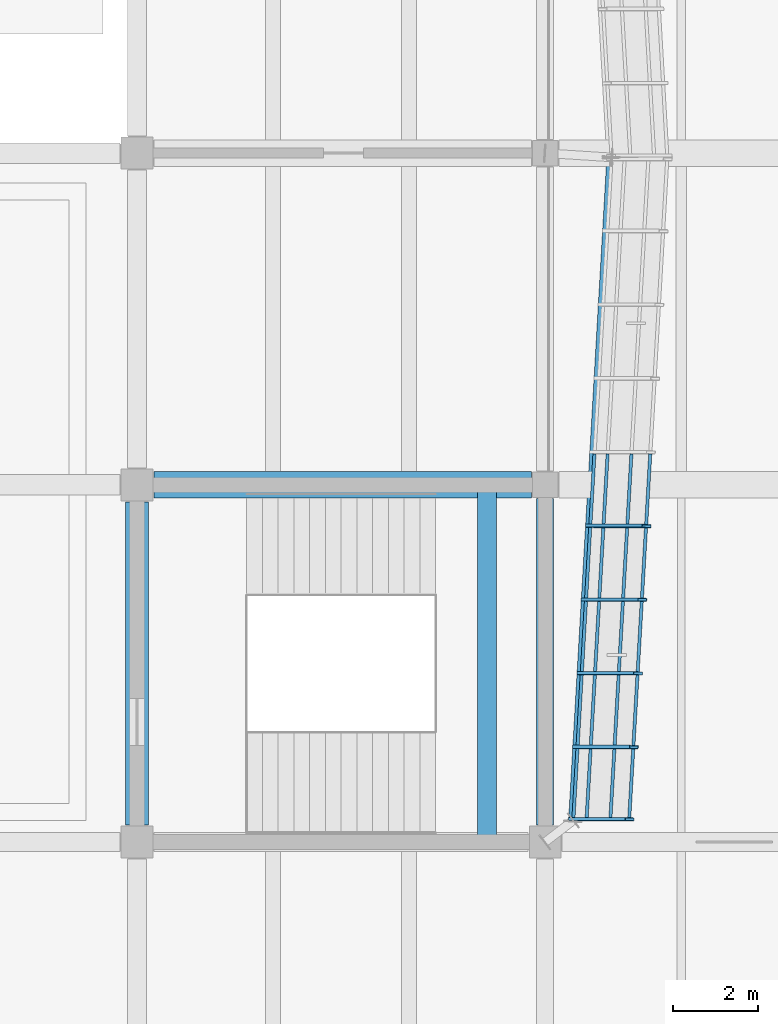
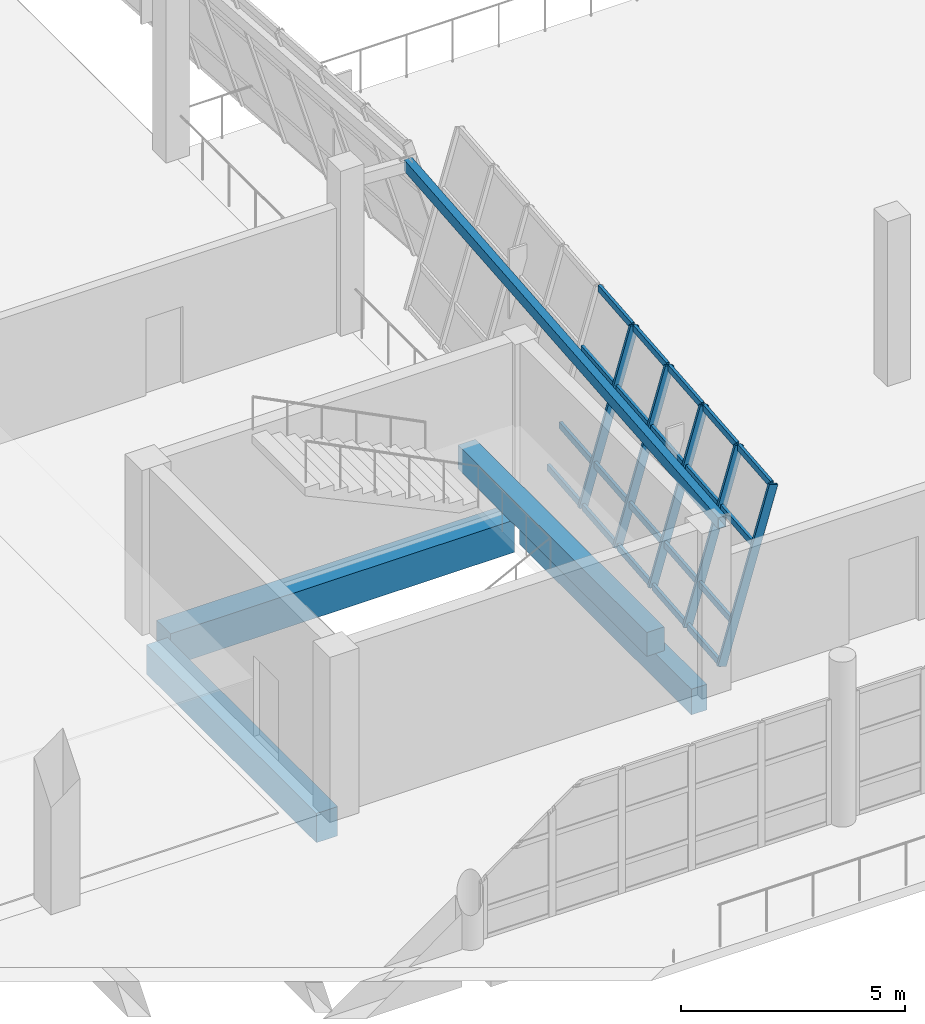
# One storey, part 16 of 71: 25 members, 5 beams, 1 element without a shape of its own.
"""IFC4 building model written with IfcOpenShell, lengths in metres."""

import ifcopenshell
import ifcopenshell.guid

model = None  # the IFC model being written
_history = None  # IfcOwnerHistory: only IFC2X3 demands one
_inside = {}  # id of a spatial element -> (the spatial element, [elements in it])
_under = {}  # id of a project, library or spatial element -> (it, [spatial elements below it])
_declared = {}  # id of a project -> (the project, [libraries it declares])
_typed = {}  # id of a type object -> (the type object, [elements of that type])
_made_of = {}  # id of a material, layer set ... -> (it, [elements and type objects made of it])


def new_model(schema):
    """Start an empty IFC model of exactly this schema.

    Asked for "IFC4X3", IfcOpenShell would pick the latest addendum, in which some entities
    have other attributes; the version numbers below select the first issue.
    IFC2X3 requires an IfcOwnerHistory on every rooted entity: one is made here for all.
    """
    global model, _history
    if schema == "IFC4X3":
        model = ifcopenshell.file(schema_version=(4, 3, 0, 0))
    else:
        model = ifcopenshell.file(schema=schema)
    _inside.clear()
    _under.clear()
    _declared.clear()
    _typed.clear()
    _made_of.clear()
    _history = None
    if model.schema == "IFC2X3":
        org = make("IfcOrganization", Name="unknown")
        user = make(
            "IfcPersonAndOrganization",
            ThePerson=make("IfcPerson", FamilyName="unknown"),
            TheOrganization=org,
        )
        app = make(
            "IfcApplication",
            ApplicationDeveloper=org,
            Version="unknown",
            ApplicationFullName="unknown",
            ApplicationIdentifier="unknown",
        )
        _history = make(
            "IfcOwnerHistory",
            OwningUser=user,
            OwningApplication=app,
            ChangeAction="ADDED",
            CreationDate=0,
        )
    return model


def make(cls, **values):
    """One entity of the class cls with the attributes given. An attribute that is None is left unset."""
    return model.create_entity(
        cls, **{name: value for name, value in values.items() if value is not None}
    )


def rooted(cls, **values):
    """An entity with a GlobalId (a new one), such as an element, a storey or a relation."""
    return make(cls, GlobalId=ifcopenshell.guid.new(), OwnerHistory=_history, **values)


def si_unit(unit_type, name, prefix=None):
    """IfcSIUnit, for example si_unit("LENGTHUNIT", "METRE", prefix="MILLI")."""
    return make("IfcSIUnit", UnitType=unit_type, Prefix=prefix, Name=name)


def assignment(units):
    """IfcUnitAssignment: the units of a project."""
    return None if units is None else make("IfcUnitAssignment", Units=units)


def point(xyz):
    """IfcCartesianPoint."""
    return None if xyz is None else make("IfcCartesianPoint", Coordinates=xyz)


def direction(xyz):
    """IfcDirection."""
    return None if xyz is None else make("IfcDirection", DirectionRatios=xyz)


def frame(location, z_axis=None, x_axis=None):
    """IfcAxis2Placement3D, a coordinate frame: its origin and axes. An axis left out is left unset."""
    return make(
        "IfcAxis2Placement3D",
        Location=point(location),
        Axis=direction(z_axis),
        RefDirection=direction(x_axis),
    )


def frame_2d(location, x_axis=None):
    """IfcAxis2Placement2D, a coordinate frame in the plane: its origin and x axis."""
    return make(
        "IfcAxis2Placement2D", Location=point(location), RefDirection=direction(x_axis)
    )


def origin():
    """The frame at (0, 0, 0) with its axes left unset."""
    return frame((0.0, 0.0, 0.0))


def origin_2d():
    """The frame at (0, 0) in the plane with its x axis left unset."""
    return frame_2d((0.0, 0.0))


def place(relative_to, where):
    """IfcLocalPlacement: puts the frame where relative to a parent placement (None: the world)."""
    return make(
        "IfcLocalPlacement", PlacementRelTo=relative_to, RelativePlacement=where
    )


def context(
    kind, dimensions, precision=None, world=None, true_north=None, identifier=None
):
    """IfcGeometricRepresentationContext, for example the 3D "Model" context."""
    return make(
        "IfcGeometricRepresentationContext",
        ContextIdentifier=identifier,
        ContextType=kind,
        CoordinateSpaceDimension=dimensions,
        Precision=precision,
        WorldCoordinateSystem=world,
        TrueNorth=true_north,
    )


def subcontext(parent, identifier, kind, view, scale=None):
    """IfcGeometricRepresentationSubContext, for example "Body" below "Model"."""
    return make(
        "IfcGeometricRepresentationSubContext",
        ContextIdentifier=identifier,
        ContextType=kind,
        ParentContext=parent,
        TargetScale=scale,
        TargetView=view,
    )


def project(units=None, contexts=None):
    """IfcProject with its units and contexts."""
    return rooted(
        "IfcProject",
        Name="project",
        RepresentationContexts=contexts,
        UnitsInContext=assignment(units),
    )


def spatial(cls, under=None, at=None, **own):
    """A site, building, storey or space (cls), placed at a placement, below another one or the project."""
    s = rooted(cls, ObjectPlacement=at, **own)
    if under is not None:
        _under.setdefault(under.id(), (under, []))[1].append(s)
    return s


def profile(cls, at=None, kind="AREA", **sizes):
    """A parametric profile (cls). Its sizes go by their IFC names, for example OverallWidth=200.0."""
    return make(cls, ProfileType=kind, Position=at, **sizes)


def rectangle(**sizes):
    """IfcRectangleProfileDef."""
    return profile("IfcRectangleProfileDef", **sizes)


def hollow_rectangle(**sizes):
    """IfcRectangleHollowProfileDef."""
    return profile("IfcRectangleHollowProfileDef", **sizes)


def extrude(swept, where, along, depth):
    """IfcExtrudedAreaSolid: the profile swept, set in the frame where, extruded along a direction by depth."""
    return make(
        "IfcExtrudedAreaSolid",
        SweptArea=swept,
        Position=where,
        ExtrudedDirection=direction(along),
        Depth=depth,
    )


def shape(context_of_items, identifier, shape_type, items):
    """IfcShapeRepresentation: the items that make up one representation, for example the "Body"."""
    return make(
        "IfcShapeRepresentation",
        ContextOfItems=context_of_items,
        RepresentationIdentifier=identifier,
        RepresentationType=shape_type,
        Items=items,
    )


def material(Name=None, Category=None):
    """IfcMaterial."""
    return make("IfcMaterial", Name=Name, Category=Category)


def material_profile(
    of_material, cross_section, Name=None, Category=None, Priority=None
):
    """IfcMaterialProfile: a cross section and its material."""
    return make(
        "IfcMaterialProfile",
        Name=Name,
        Material=of_material,
        Profile=cross_section,
        Priority=Priority,
        Category=Category,
    )


def profile_set(profiles, Name=None, composite=None):
    """IfcMaterialProfileSet."""
    return make(
        "IfcMaterialProfileSet",
        Name=Name,
        MaterialProfiles=profiles,
        CompositeProfile=composite,
    )


def made_of(thing, what):
    """Note that an element or type object is made of a material, layer set ...; save() writes the relation."""
    if what is not None:
        _made_of.setdefault(what.id(), (what, []))[1].append(thing)
    return thing


def type_object(cls, material=None, **own):
    """A type object (cls), such as IfcWallType, which elements share."""
    return made_of(rooted(cls, **own), material)


def element(
    cls,
    number,
    at=None,
    inside=None,
    cuts=None,
    type_object=None,
    material=None,
    context=None,
    identifier="Body",
    shape_type=None,
    held_by="IfcProductDefinitionShape",
    body=None,
    shapes=None,
    **own,
):
    """One element of the class cls, such as IfcWall. Its Tag is "e" and its number.

    at: its placement. inside: the storey or other place that contains it. cuts: it is an
    opening in that element (IfcRelVoidsElement). A single representation is given by context,
    identifier, shape_type and body (its items); several are given by shapes. held_by: the class
    of the entity that holds the representations. save() writes the other relations.
    """
    e = rooted(cls, Tag="e%d" % number, ObjectPlacement=at, **own)
    if body is not None:
        shapes = [shape(context, identifier, shape_type, body)]
    if shapes is not None:
        e.Representation = make(held_by, Representations=shapes)
    if inside is not None:
        _inside.setdefault(inside.id(), (inside, []))[1].append(e)
    if cuts is not None:
        rooted(
            "IfcRelVoidsElement", RelatingBuildingElement=cuts, RelatedOpeningElement=e
        )
    if type_object is not None:
        _typed.setdefault(type_object.id(), (type_object, []))[1].append(e)
    return made_of(e, material)


def aggregate(whole, parts):
    """IfcRelAggregates: a whole, such as a stair, and the parts it consists of."""
    return rooted("IfcRelAggregates", RelatingObject=whole, RelatedObjects=parts)


def save(model, path):
    """Write the relations noted so far, then the file.

    IfcRelAggregates (storeys below a building ...), IfcRelContainedInSpatialStructure (elements
    in a storey), IfcRelDefinesByType, IfcRelAssociatesMaterial and IfcRelDeclares: one each for
    every whole, place, type object, material and project.
    """
    for whole, parts in _under.values():
        aggregate(whole, parts)
    for where, things in _inside.values():
        rooted(
            "IfcRelContainedInSpatialStructure",
            RelatedElements=things,
            RelatingStructure=where,
        )
    for kind, things in _typed.values():
        rooted("IfcRelDefinesByType", RelatedObjects=things, RelatingType=kind)
    for what, things in _made_of.values():
        rooted("IfcRelAssociatesMaterial", RelatedObjects=things, RelatingMaterial=what)
    for by, libraries in _declared.values():
        rooted("IfcRelDeclares", RelatingContext=by, RelatedDefinitions=libraries)
    model.write(path)


model = new_model("IFC4")

# Units and contexts
model_context = context("Model", 3, precision=1e-05, world=origin(), true_north=direction((0.0, 1.0)))
body_context = subcontext(model_context, "Body", "Model", "MODEL_VIEW")
ifc_project = project(units=[si_unit("LENGTHUNIT", "METRE"), si_unit("AREAUNIT", "SQUARE_METRE"), si_unit("VOLUMEUNIT", "CUBIC_METRE"), si_unit("PLANEANGLEUNIT", "RADIAN"), si_unit("MASSUNIT", "GRAM", prefix="KILO")], contexts=[model_context])

# Site, building, storey
site_placement = place(None, origin())
site = spatial("IfcSite", under=ifc_project, at=site_placement, CompositionType="ELEMENT")
building_placement = place(site_placement, origin())
building = spatial("IfcBuilding", under=site, at=building_placement, Name="Pellamere Symphony Hall", CompositionType="ELEMENT")
storey_placement = place(building_placement, frame((0.0, 0.0, 15.0)))
storey = spatial("IfcBuildingStorey", under=building, at=storey_placement, Name="L03", CompositionType="ELEMENT", Elevation=15.0)

# Curtain wall, members
ifc_material_1 = material(Name="Thermally Broken Anodised Aluminium 6063-T6 Curtain Wall", Category="aluminium")
curtain_wall_type = type_object("IfcCurtainWallType", Name="Curtain Wall CW-01 (Tilted Faceted Crystal Low-Iron Curtain Wall)", PredefinedType="NOTDEFINED", material=ifc_material_1)
curtain_wall_placement = place(storey_placement, origin())
curtain_wall = element("IfcCurtainWall", 1, at=curtain_wall_placement, inside=storey, type_object=curtain_wall_type, Name="Crystal Faceted Curtain Wall CW-CR06 (L03)", PredefinedType="NOTDEFINED")
ifc_material_2 = material(Name="Anodised Architectural Aluminium 6063-T6", Category="aluminium")
ifc_material_profile_1 = material_profile(ifc_material_2, hollow_rectangle(XDim=0.074951171875, YDim=0.219970703125, WallThickness=0.0048828125, at=origin_2d()), Name="ALU-M75X220X5")
ifc_profile_set_1 = profile_set([ifc_material_profile_1], Name="Anodised Architectural Aluminium 6063-T6")
member_type_1 = type_object("IfcMemberType", Name="Curtain Wall Mullion ML-01 ALU-M75X220X5", PredefinedType="MULLION", material=ifc_profile_set_1)
member_1_placement = place(storey_placement, frame((119.4521484375, 30.537353515625, 0.0), z_axis=(0.284024567884, 0.0, 0.95881700279), x_axis=(-0.055224537145, -0.998339941676, 0.01635883099)))
member_1 = element("IfcMember", 2, at=member_1_placement, type_object=member_type_1, Name="CW1-007 crystal mullion 1", PredefinedType="MULLION", context=body_context, shape_type="SweptSolid", body=[
    extrude(hollow_rectangle(XDim=0.074951171875, YDim=0.219970703125, WallThickness=0.0048828125, at=origin_2d()), origin(), (0.0, 0.0, 1.0), 4.693359375),
])
member_2_placement = place(storey_placement, frame((119.550048828125, 32.2333984375, 0.0), z_axis=(0.284024567884, 0.0, 0.95881700279), x_axis=(-0.055224537145, -0.998339941676, 0.01635883099)))
member_2 = element("IfcMember", 3, at=member_2_placement, type_object=member_type_1, Name="CW1-007 crystal mullion 2", PredefinedType="MULLION", context=body_context, shape_type="SweptSolid", body=[
    extrude(hollow_rectangle(XDim=0.074951171875, YDim=0.219970703125, WallThickness=0.0048828125, at=origin_2d()), origin(), (0.0, 0.0, 1.0), 4.693359375),
])
member_3_placement = place(storey_placement, frame((119.64990234375, 33.966552734375, 0.0), z_axis=(0.284024567884, 0.0, 0.95881700279), x_axis=(-0.055224537145, -0.998339941676, 0.01635883099)))
member_3 = element("IfcMember", 4, at=member_3_placement, type_object=member_type_1, Name="CW1-007 crystal mullion 3", PredefinedType="MULLION", context=body_context, shape_type="SweptSolid", body=[
    extrude(hollow_rectangle(XDim=0.074951171875, YDim=0.219970703125, WallThickness=0.0048828125, at=origin_2d()), origin(), (0.0, 0.0, 1.0), 4.693359375),
])
member_4_placement = place(storey_placement, frame((119.75, 35.699951171875, 0.0), z_axis=(0.284024567884, 0.0, 0.95881700279), x_axis=(-0.055224537145, -0.998339941676, 0.01635883099)))
member_4 = element("IfcMember", 5, at=member_4_placement, type_object=member_type_1, Name="CW1-007 crystal mullion 4", PredefinedType="MULLION", context=body_context, shape_type="SweptSolid", body=[
    extrude(hollow_rectangle(XDim=0.074951171875, YDim=0.219970703125, WallThickness=0.0048828125, at=origin_2d()), origin(), (0.0, 0.0, 1.0), 4.693359375),
])
member_5_placement = place(storey_placement, frame((119.85009765625, 37.433349609375, 0.0), z_axis=(0.284024567884, 0.0, 0.95881700279), x_axis=(-0.055224537145, -0.998339941676, 0.01635883099)))
member_5 = element("IfcMember", 6, at=member_5_placement, type_object=member_type_1, Name="CW1-007 crystal mullion 5", PredefinedType="MULLION", context=body_context, shape_type="SweptSolid", body=[
    extrude(hollow_rectangle(XDim=0.074951171875, YDim=0.219970703125, WallThickness=0.0048828125, at=origin_2d()), origin(), (0.0, 0.0, 1.0), 4.693359375),
])
ifc_material_profile_2 = material_profile(ifc_material_2, hollow_rectangle(XDim=0.074951171875, YDim=0.179931640625, WallThickness=0.0048828125, at=origin_2d()), Name="ALU-T75X180X5")
ifc_profile_set_2 = profile_set([ifc_material_profile_2], Name="Anodised Architectural Aluminium 6063-T6")
member_type_2 = type_object("IfcMemberType", Name="Curtain Wall Transom TR-01 ALU-T75X180X5", PredefinedType="USERDEFINED", material=ifc_profile_set_2)
member_6_placement = place(storey_placement, frame((119.465087890625, 30.574951171875, 0.035888671875), z_axis=(0.057593652861, 0.998340107954, 0.0), x_axis=(-0.998340107954, 0.057593652861, 0.0)))
member_6 = element("IfcMember", 7, at=member_6_placement, type_object=member_type_2, Name="CW1-007 crystal transom 1.1", ObjectType="TRANSOM", PredefinedType="USERDEFINED", context=body_context, shape_type="SweptSolid", body=[
    extrude(hollow_rectangle(XDim=0.074951171875, YDim=0.179931640625, WallThickness=0.0048828125, at=origin_2d()), origin(), (0.0, 0.0, 1.0), 1.62353515625),
])
member_7_placement = place(storey_placement, frame((119.774169921875, 30.574951171875, 1.080078125), z_axis=(0.057593652861, 0.998340107954, 0.0), x_axis=(-0.998340107954, 0.057593652861, 0.0)))
member_7 = element("IfcMember", 8, at=member_7_placement, type_object=member_type_2, Name="CW1-007 crystal transom 1.2", ObjectType="TRANSOM", PredefinedType="USERDEFINED", context=body_context, shape_type="SweptSolid", body=[
    extrude(hollow_rectangle(XDim=0.074951171875, YDim=0.179931640625, WallThickness=0.0048828125, at=origin_2d()), origin(), (0.0, 0.0, 1.0), 1.62353515625),
])
member_8_placement = place(storey_placement, frame((120.333984375, 30.574951171875, 2.969970703125), z_axis=(0.057743527187, 0.998331450505, 0.0), x_axis=(-0.998331450505, 0.057743527187, 0.0)))
member_8 = element("IfcMember", 9, at=member_8_placement, type_object=member_type_2, Name="CW1-007 crystal transom 1.3", ObjectType="TRANSOM", PredefinedType="USERDEFINED", context=body_context, shape_type="SweptSolid", body=[
    extrude(hollow_rectangle(XDim=0.074951171875, YDim=0.179931640625, WallThickness=0.0048828125, at=origin_2d()), origin(), (0.0, 0.0, 1.0), 1.62353515625),
])
member_9_placement = place(storey_placement, frame((120.776611328125, 30.574951171875, 4.464111328125), z_axis=(0.057593652861, 0.998340107954, 0.0), x_axis=(-0.998340107954, 0.057593652861, 0.0)))
member_9 = element("IfcMember", 10, at=member_9_placement, type_object=member_type_2, Name="CW1-007 crystal transom 1.4", ObjectType="TRANSOM", PredefinedType="USERDEFINED", context=body_context, shape_type="SweptSolid", body=[
    extrude(hollow_rectangle(XDim=0.074951171875, YDim=0.179931640625, WallThickness=0.0048828125, at=origin_2d()), origin(), (0.0, 0.0, 1.0), 1.62353515625),
])
member_10_placement = place(storey_placement, frame((119.562744140625, 32.270751953125, 0.035888671875), z_axis=(0.057610619545, 0.998339129012, 0.0), x_axis=(-0.998339129012, 0.057610619545, 0.0)))
member_10 = element("IfcMember", 11, at=member_10_placement, type_object=member_type_2, Name="CW1-007 crystal transom 2.1", ObjectType="TRANSOM", PredefinedType="USERDEFINED", context=body_context, shape_type="SweptSolid", body=[
    extrude(hollow_rectangle(XDim=0.074951171875, YDim=0.179931640625, WallThickness=0.0048828125, at=origin_2d()), origin(), (0.0, 0.0, 1.0), 1.6611328125),
])
member_11_placement = place(storey_placement, frame((119.8720703125, 32.270751953125, 1.080078125), z_axis=(0.057610619545, 0.998339129012, 0.0), x_axis=(-0.998339129012, 0.057610619545, 0.0)))
member_11 = element("IfcMember", 12, at=member_11_placement, type_object=member_type_2, Name="CW1-007 crystal transom 2.2", ObjectType="TRANSOM", PredefinedType="USERDEFINED", context=body_context, shape_type="SweptSolid", body=[
    extrude(hollow_rectangle(XDim=0.074951171875, YDim=0.179931640625, WallThickness=0.0048828125, at=origin_2d()), origin(), (0.0, 0.0, 1.0), 1.6611328125),
])
member_12_placement = place(storey_placement, frame((120.431884765625, 32.270751953125, 2.969970703125), z_axis=(0.057610619545, 0.998339129012, 0.0), x_axis=(-0.998339129012, 0.057610619545, 0.0)))
member_12 = element("IfcMember", 13, at=member_12_placement, type_object=member_type_2, Name="CW1-007 crystal transom 2.3", ObjectType="TRANSOM", PredefinedType="USERDEFINED", context=body_context, shape_type="SweptSolid", body=[
    extrude(hollow_rectangle(XDim=0.074951171875, YDim=0.179931640625, WallThickness=0.0048828125, at=origin_2d()), origin(), (0.0, 0.0, 1.0), 1.6611328125),
])
member_13_placement = place(storey_placement, frame((120.87451171875, 32.270751953125, 4.464111328125), z_axis=(0.057610619545, 0.998339129012, 0.0), x_axis=(-0.998339129012, 0.057610619545, 0.0)))
member_13 = element("IfcMember", 14, at=member_13_placement, type_object=member_type_2, Name="CW1-007 crystal transom 2.4", ObjectType="TRANSOM", PredefinedType="USERDEFINED", context=body_context, shape_type="SweptSolid", body=[
    extrude(hollow_rectangle(XDim=0.074951171875, YDim=0.179931640625, WallThickness=0.0048828125, at=origin_2d()), origin(), (0.0, 0.0, 1.0), 1.6611328125),
])
member_14_placement = place(storey_placement, frame((119.662841796875, 34.004150390625, 0.035888671875), z_axis=(0.057610619545, 0.998339129012, 0.0), x_axis=(-0.998339129012, 0.057610619545, 0.0)))
member_14 = element("IfcMember", 15, at=member_14_placement, type_object=member_type_2, Name="CW1-007 crystal transom 3.1", ObjectType="TRANSOM", PredefinedType="USERDEFINED", context=body_context, shape_type="SweptSolid", body=[
    extrude(hollow_rectangle(XDim=0.074951171875, YDim=0.179931640625, WallThickness=0.0048828125, at=origin_2d()), origin(), (0.0, 0.0, 1.0), 1.6611328125),
])
member_15_placement = place(storey_placement, frame((119.97216796875, 34.004150390625, 1.080078125), z_axis=(0.057610619545, 0.998339129012, 0.0), x_axis=(-0.998339129012, 0.057610619545, 0.0)))
member_15 = element("IfcMember", 16, at=member_15_placement, type_object=member_type_2, Name="CW1-007 crystal transom 3.2", ObjectType="TRANSOM", PredefinedType="USERDEFINED", context=body_context, shape_type="SweptSolid", body=[
    extrude(hollow_rectangle(XDim=0.074951171875, YDim=0.179931640625, WallThickness=0.0048828125, at=origin_2d()), origin(), (0.0, 0.0, 1.0), 1.6611328125),
])
member_16_placement = place(storey_placement, frame((120.531982421875, 34.004150390625, 2.969970703125), z_axis=(0.057610619545, 0.998339129012, 0.0), x_axis=(-0.998339129012, 0.057610619545, 0.0)))
member_16 = element("IfcMember", 17, at=member_16_placement, type_object=member_type_2, Name="CW1-007 crystal transom 3.3", ObjectType="TRANSOM", PredefinedType="USERDEFINED", context=body_context, shape_type="SweptSolid", body=[
    extrude(hollow_rectangle(XDim=0.074951171875, YDim=0.179931640625, WallThickness=0.0048828125, at=origin_2d()), origin(), (0.0, 0.0, 1.0), 1.6611328125),
])
member_17_placement = place(storey_placement, frame((120.974609375, 34.004150390625, 4.464111328125), z_axis=(0.057464139598, 0.998347571069, 0.0), x_axis=(-0.998347571069, 0.057464139598, 0.0)))
member_17 = element("IfcMember", 18, at=member_17_placement, type_object=member_type_2, Name="CW1-007 crystal transom 3.4", ObjectType="TRANSOM", PredefinedType="USERDEFINED", context=body_context, shape_type="SweptSolid", body=[
    extrude(hollow_rectangle(XDim=0.074951171875, YDim=0.179931640625, WallThickness=0.0048828125, at=origin_2d()), origin(), (0.0, 0.0, 1.0), 1.6611328125),
])
member_18_placement = place(storey_placement, frame((119.7626953125, 35.737548828125, 0.035888671875), z_axis=(0.057610619545, 0.998339129012, 0.0), x_axis=(-0.998339129012, 0.057610619545, 0.0)))
member_18 = element("IfcMember", 19, at=member_18_placement, type_object=member_type_2, Name="CW1-007 crystal transom 4.1", ObjectType="TRANSOM", PredefinedType="USERDEFINED", context=body_context, shape_type="SweptSolid", body=[
    extrude(hollow_rectangle(XDim=0.074951171875, YDim=0.179931640625, WallThickness=0.0048828125, at=origin_2d()), origin(), (0.0, 0.0, 1.0), 1.6611328125),
])
member_19_placement = place(storey_placement, frame((120.072021484375, 35.737548828125, 1.080078125), z_axis=(0.057610619545, 0.998339129012, 0.0), x_axis=(-0.998339129012, 0.057610619545, 0.0)))
member_19 = element("IfcMember", 20, at=member_19_placement, type_object=member_type_2, Name="CW1-007 crystal transom 4.2", ObjectType="TRANSOM", PredefinedType="USERDEFINED", context=body_context, shape_type="SweptSolid", body=[
    extrude(hollow_rectangle(XDim=0.074951171875, YDim=0.179931640625, WallThickness=0.0048828125, at=origin_2d()), origin(), (0.0, 0.0, 1.0), 1.6611328125),
])
member_20_placement = place(storey_placement, frame((120.6318359375, 35.737548828125, 2.969970703125), z_axis=(0.057610619545, 0.998339129012, 0.0), x_axis=(-0.998339129012, 0.057610619545, 0.0)))
member_20 = element("IfcMember", 21, at=member_20_placement, type_object=member_type_2, Name="CW1-007 crystal transom 4.3", ObjectType="TRANSOM", PredefinedType="USERDEFINED", context=body_context, shape_type="SweptSolid", body=[
    extrude(hollow_rectangle(XDim=0.074951171875, YDim=0.179931640625, WallThickness=0.0048828125, at=origin_2d()), origin(), (0.0, 0.0, 1.0), 1.6611328125),
])
member_21_placement = place(storey_placement, frame((121.074462890625, 35.737548828125, 4.464111328125), z_axis=(0.057610619545, 0.998339129012, 0.0), x_axis=(-0.998339129012, 0.057610619545, 0.0)))
member_21 = element("IfcMember", 22, at=member_21_placement, type_object=member_type_2, Name="CW1-007 crystal transom 4.4", ObjectType="TRANSOM", PredefinedType="USERDEFINED", context=body_context, shape_type="SweptSolid", body=[
    extrude(hollow_rectangle(XDim=0.074951171875, YDim=0.179931640625, WallThickness=0.0048828125, at=origin_2d()), origin(), (0.0, 0.0, 1.0), 1.6611328125),
])
member_22_placement = place(storey_placement, frame((119.86279296875, 37.470703125, 0.035888671875), z_axis=(0.057610619545, 0.998339129012, 0.0), x_axis=(-0.998339129012, 0.057610619545, 0.0)))
member_22 = element("IfcMember", 23, at=member_22_placement, type_object=member_type_2, Name="CW1-007 crystal transom 5.1", ObjectType="TRANSOM", PredefinedType="USERDEFINED", context=body_context, shape_type="SweptSolid", body=[
    extrude(hollow_rectangle(XDim=0.074951171875, YDim=0.179931640625, WallThickness=0.0048828125, at=origin_2d()), origin(), (0.0, 0.0, 1.0), 1.6611328125),
])
member_23_placement = place(storey_placement, frame((120.172119140625, 37.470703125, 1.080078125), z_axis=(0.057610619545, 0.998339129012, 0.0), x_axis=(-0.998339129012, 0.057610619545, 0.0)))
member_23 = element("IfcMember", 24, at=member_23_placement, type_object=member_type_2, Name="CW1-007 crystal transom 5.2", ObjectType="TRANSOM", PredefinedType="USERDEFINED", context=body_context, shape_type="SweptSolid", body=[
    extrude(hollow_rectangle(XDim=0.074951171875, YDim=0.179931640625, WallThickness=0.0048828125, at=origin_2d()), origin(), (0.0, 0.0, 1.0), 1.6611328125),
])
member_24_placement = place(storey_placement, frame((120.73193359375, 37.470703125, 2.969970703125), z_axis=(0.057610619545, 0.998339129012, 0.0), x_axis=(-0.998339129012, 0.057610619545, 0.0)))
member_24 = element("IfcMember", 25, at=member_24_placement, type_object=member_type_2, Name="CW1-007 crystal transom 5.3", ObjectType="TRANSOM", PredefinedType="USERDEFINED", context=body_context, shape_type="SweptSolid", body=[
    extrude(hollow_rectangle(XDim=0.074951171875, YDim=0.179931640625, WallThickness=0.0048828125, at=origin_2d()), origin(), (0.0, 0.0, 1.0), 1.6611328125),
])
member_25_placement = place(storey_placement, frame((121.174560546875, 37.470703125, 4.464111328125), z_axis=(0.057610619545, 0.998339129012, 0.0), x_axis=(-0.998339129012, 0.057610619545, 0.0)))
member_25 = element("IfcMember", 26, at=member_25_placement, type_object=member_type_2, Name="CW1-007 crystal transom 5.4", ObjectType="TRANSOM", PredefinedType="USERDEFINED", context=body_context, shape_type="SweptSolid", body=[
    extrude(hollow_rectangle(XDim=0.074951171875, YDim=0.179931640625, WallThickness=0.0048828125, at=origin_2d()), origin(), (0.0, 0.0, 1.0), 1.6611328125),
])
aggregate(curtain_wall, [member_1, member_2, member_3, member_4, member_5, member_6, member_7, member_8, member_9, member_10, member_11, member_12, member_13, member_14, member_15, member_16, member_17, member_18, member_19, member_20, member_21, member_22, member_23, member_24, member_25])

# Beams
ifc_material_3 = material(Name="Concrete 40 MPa", Category="concrete")
ifc_material_profile_3 = material_profile(ifc_material_3, rectangle(XDim=0.550048828125, YDim=0.800048828125, at=origin_2d()), Name="RC 550x800")
ifc_profile_set_3 = profile_set([ifc_material_profile_3], Name="Concrete 40 MPa")
beam_type_1 = type_object("IfcBeamType", Name="RC CB-05 550x800", PredefinedType="BEAM", material=ifc_profile_set_3)
beam_1_placement = place(storey_placement, frame((109.199951171875, 30.39990234375, -0.659912109375), z_axis=(0.0, 1.0, 0.0), x_axis=(-1.0, 0.0, 0.0)))
element("IfcBeam", 27, at=beam_1_placement, inside=storey, type_object=beam_type_1, Name="Girder CB-05-Y1650 (L03)", PredefinedType="BEAM", context=body_context, shape_type="SweptSolid", body=[
    extrude(rectangle(XDim=0.550048828125, YDim=0.800048828125, at=origin_2d()), origin(), (0.0, 0.0, 1.0), 7.60009765625),
])
ifc_material_profile_4 = material_profile(ifc_material_3, rectangle(XDim=0.449951171875, YDim=0.64990234375, at=origin_2d()), Name="RC 450x650")
ifc_profile_set_4 = profile_set([ifc_material_profile_4], Name="Concrete 40 MPa")
beam_type_2 = type_object("IfcBeamType", Name="RC CB-08 450x650", PredefinedType="BEAM", material=ifc_profile_set_4)
beam_2_placement = place(storey_placement, frame((117.4326171875, 29.97998046875, 1.705078125), z_axis=(0.0, 1.0, 0.0), x_axis=(-1.0, 0.0, 0.0)))
element("IfcBeam", 28, at=beam_2_placement, inside=storey, type_object=beam_type_2, Name="Stair ST08-L03 Half Landing Support Beam (L03)", PredefinedType="BEAM", context=body_context, shape_type="SweptSolid", body=[
    extrude(rectangle(XDim=0.449951171875, YDim=0.64990234375, at=origin_2d()), origin(), (0.0, 0.0, 1.0), 8.43994140625),
])
ifc_material_profile_5 = material_profile(ifc_material_3, rectangle(XDim=0.39990234375, YDim=0.699951171875, at=origin_2d()), Name="RC 400x700")
ifc_profile_set_5 = profile_set([ifc_material_profile_5], Name="Concrete 40 MPa")
beam_type_3 = type_object("IfcBeamType", Name="RC CB-13 400x700", PredefinedType="SPANDREL", material=ifc_profile_set_5)
beam_3_placement = place(storey_placement, frame((118.800048828125, 30.39990234375, -0.610107421875), z_axis=(0.0, 1.0, 0.0), x_axis=(-1.0, 0.0, 0.0)))
element("IfcBeam", 29, at=beam_3_placement, inside=storey, type_object=beam_type_3, Name="Girder CB-13-Y1659 (L03)", PredefinedType="SPANDREL", context=body_context, shape_type="SweptSolid", body=[
    extrude(rectangle(XDim=0.39990234375, YDim=0.699951171875, at=origin_2d()), origin(), (0.0, 0.0, 1.0), 7.675048828125),
])
ifc_material_profile_6 = material_profile(ifc_material_3, rectangle(XDim=0.6201171875, YDim=0.8798828125, at=origin_2d()), Name="RC 620x880")
ifc_profile_set_6 = profile_set([ifc_material_profile_6], Name="Concrete 40 MPa")
beam_type_4 = type_object("IfcBeamType", Name="RC CB-17 620x880", PredefinedType="BEAM", material=ifc_profile_set_6)
beam_4_placement = place(storey_placement, frame((109.60009765625, 38.39990234375, -0.699951171875), z_axis=(1.0, 0.0, 0.0), x_axis=(0.0, 1.0, 0.0)))
element("IfcBeam", 30, at=beam_4_placement, inside=storey, type_object=beam_type_4, Name="Girder CB-17-X1529 (L03)", PredefinedType="BEAM", context=body_context, shape_type="SweptSolid", body=[
    extrude(rectangle(XDim=0.6201171875, YDim=0.8798828125, at=origin_2d()), origin(), (0.0, 0.0, 1.0), 8.875),
])
ifc_material_4 = material(Name="Steel CSA G40.21 350W", Category="steel")
ifc_material_profile_7 = material_profile(ifc_material_4, hollow_rectangle(XDim=0.203125, YDim=0.3046875, WallThickness=0.0126953125, at=origin_2d()), Name="HSS305X203X13")
ifc_profile_set_7 = profile_set([ifc_material_profile_7], Name="Steel CSA G40.21 350W")
beam_type_5 = type_object("IfcBeamType", Name="Steel Spandrel SB-26 HSS305X203X13", PredefinedType="SPANDREL", material=ifc_profile_set_7)
beam_5_placement = place(storey_placement, frame((119.449951171875, 30.5, 3.93994140625), z_axis=(0.057605519012, 0.998339423332, 0.0), x_axis=(-0.998339423332, 0.057605519012, 0.0)))
element("IfcBeam", 31, at=beam_5_placement, inside=storey, type_object=beam_type_5, Name="Crystal Perimeter Ring Beam CW-CR06 (L03)", PredefinedType="SPANDREL", context=body_context, shape_type="SweptSolid", body=[
    extrude(hollow_rectangle(XDim=0.203125, YDim=0.3046875, WallThickness=0.0126953125, at=origin_2d()), origin(), (0.0, 0.0, 1.0), 15.6259765625),
])

save(model, "model.ifc")
